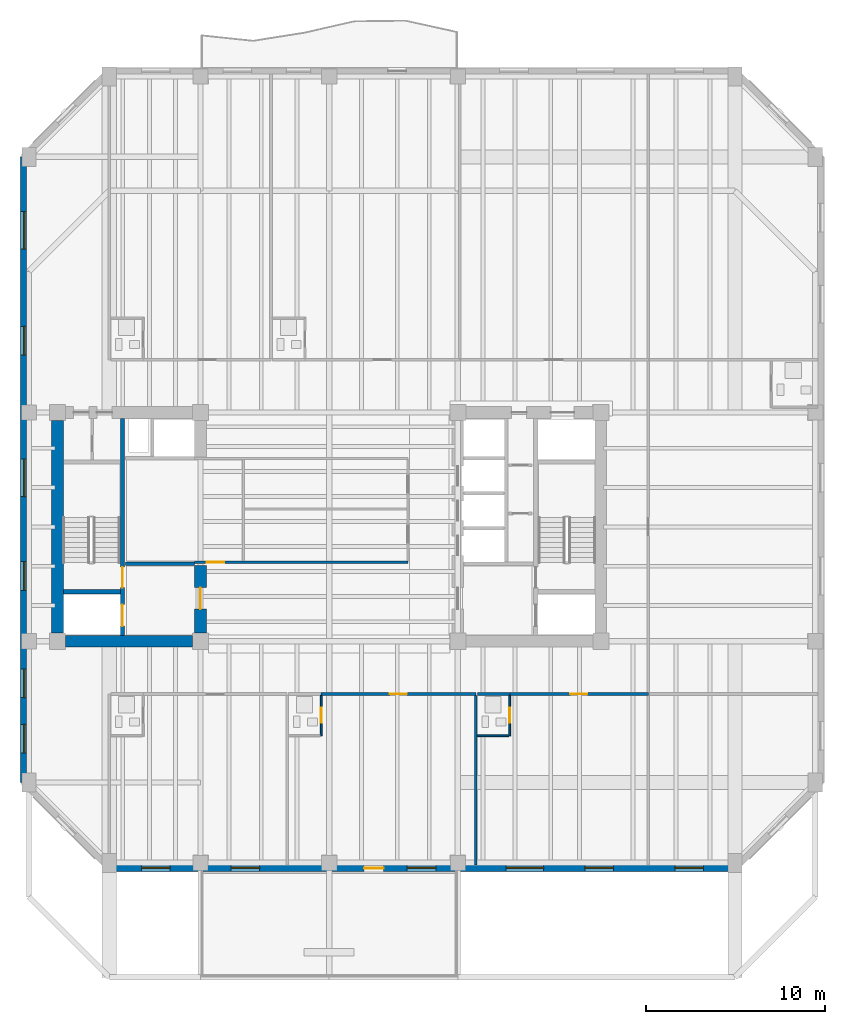
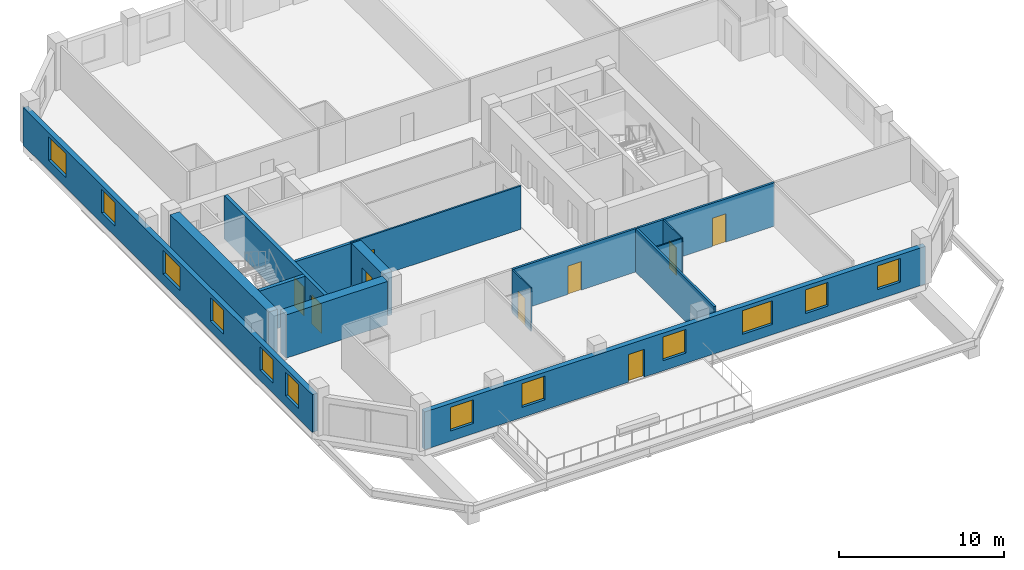
# One storey, part 3 of 10: 16 walls, 12 windows, 9 doors, 21 openings.
"""IFC4 building model written with IfcOpenShell, lengths in metres."""

from ifc_helpers import new_model, si_unit, direction, frame, frame_2d, origin, place, context, subcontext, project, spatial, rectangle, extrude, material, layer, layer_set, type_object, element, fill, save


model = new_model("IFC4")

# Units and contexts
model_context = context("Model", 3, precision=1e-05, world=origin(), true_north=direction((0.0, 1.0)))
body_context = subcontext(model_context, "Body", "Model", "MODEL_VIEW")
ifc_project = project(units=[si_unit("LENGTHUNIT", "METRE"), si_unit("AREAUNIT", "SQUARE_METRE"), si_unit("VOLUMEUNIT", "CUBIC_METRE"), si_unit("PLANEANGLEUNIT", "RADIAN"), si_unit("MASSUNIT", "GRAM", prefix="KILO")], contexts=[model_context])

# Site, building, storey
site_placement = place(None, origin())
site = spatial("IfcSite", under=ifc_project, at=site_placement, CompositionType="ELEMENT")
building_placement = place(site_placement, origin())
building = spatial("IfcBuilding", under=site, at=building_placement, Name="Kranthara Brick Stack", CompositionType="ELEMENT")
storey_placement = place(building_placement, frame((0.0, 0.0, 162.300048828125)))
storey = spatial("IfcBuildingStorey", under=building, at=storey_placement, Name="L41", CompositionType="ELEMENT", Elevation=162.300048828125)

# Wall, openings, door, windows
ifc_material_1 = material(Name="Kiln-fired clay brick masonry M15", Category="masonry")
ifc_layer_1 = layer(ifc_material_1, 0.35009765625)
ifc_layer_set_1 = layer_set([ifc_layer_1], Name="Kiln-fired clay brick masonry M15")
wall_type_1 = type_object("IfcWallType", Name="WL-BRK-SPND-350", PredefinedType="STANDARD", material=ifc_layer_set_1)
wall_1_placement = place(storey_placement, frame((50.699951171875, 8.094970703125, 0.0), z_axis=(0.0, 0.0, 1.0), x_axis=(-1.0, 0.0, 0.0)))
wall_1 = element("IfcWall", 1, at=wall_1_placement, inside=storey, type_object=wall_type_1, Name="L41 Exterior Brick Facade Wall SOUTH 1", PredefinedType="STANDARD", context=body_context, shape_type="SweptSolid", body=[
    extrude(rectangle(XDim=35.0, YDim=0.35009765625, at=frame_2d((17.5, 0.0))), origin(), (0.0, 0.0, 1.0), 2.784912109375),
])
opening_1_placement = place(wall_1_placement, frame((19.64990234375, 0.0, 0.0)))
opening_1 = element("IfcOpeningElement", 2, at=opening_1_placement, cuts=wall_1, Name="Opening D02", PredefinedType="OPENING", context=body_context, shape_type="SweptSolid", body=[
    extrude(rectangle(XDim=1.10009765625, YDim=2.050048828125, at=frame_2d((0.550048828125, 1.02490234375))), frame((0.0, 0.18505859375, 0.0), z_axis=(0.0, -1.0, 0.0), x_axis=(1.0, 0.0, 0.0)), (0.0, 0.0, 1.0), 0.3701171875),
])
opening_2_placement = place(wall_1_placement, frame((1.762939453125, 0.0, 0.75)))
opening_2 = element("IfcOpeningElement", 3, at=opening_2_placement, cuts=wall_1, Name="Opening WN04", PredefinedType="OPENING", context=body_context, shape_type="SweptSolid", body=[
    extrude(rectangle(XDim=1.60009765625, YDim=1.75, at=frame_2d((0.800048828125, 0.875))), frame((0.0, 0.18505859375, 0.0), z_axis=(0.0, -1.0, 0.0), x_axis=(1.0, 0.0, 0.0)), (0.0, 0.0, 1.0), 0.3701171875),
])
opening_3_placement = place(wall_1_placement, frame((6.798095703125, 0.0, 0.75)))
opening_3 = element("IfcOpeningElement", 4, at=opening_3_placement, cuts=wall_1, Name="Opening WN04", PredefinedType="OPENING", context=body_context, shape_type="SweptSolid", body=[
    extrude(rectangle(XDim=1.60009765625, YDim=1.75, at=frame_2d((0.800048828125, 0.875))), frame((0.0, 0.18505859375, 0.0), z_axis=(0.0, -1.0, 0.0), x_axis=(1.0, 0.0, 0.0)), (0.0, 0.0, 1.0), 0.3701171875),
])
opening_4_placement = place(wall_1_placement, frame((10.699951171875, 0.0, 0.75)))
opening_4 = element("IfcOpeningElement", 5, at=opening_4_placement, cuts=wall_1, Name="Opening WN05", PredefinedType="OPENING", context=body_context, shape_type="SweptSolid", body=[
    extrude(rectangle(XDim=2.10009765625, YDim=1.75, at=frame_2d((1.050048828125, 0.875))), frame((0.0, 0.18505859375, 0.0), z_axis=(0.0, -1.0, 0.0), x_axis=(1.0, 0.0, 0.0)), (0.0, 0.0, 1.0), 0.3701171875),
])
opening_5_placement = place(wall_1_placement, frame((16.738037109375, 0.0, 0.75)))
opening_5 = element("IfcOpeningElement", 6, at=opening_5_placement, cuts=wall_1, Name="Opening WN04", PredefinedType="OPENING", context=body_context, shape_type="SweptSolid", body=[
    extrude(rectangle(XDim=1.60009765625, YDim=1.75, at=frame_2d((0.800048828125, 0.875))), frame((0.0, 0.18505859375, 0.0), z_axis=(0.0, -1.0, 0.0), x_axis=(1.0, 0.0, 0.0)), (0.0, 0.0, 1.0), 0.3701171875),
])
opening_6_placement = place(wall_1_placement, frame((26.587890625, 0.0, 0.75)))
opening_6 = element("IfcOpeningElement", 7, at=opening_6_placement, cuts=wall_1, Name="Opening WN04", PredefinedType="OPENING", context=body_context, shape_type="SweptSolid", body=[
    extrude(rectangle(XDim=1.60009765625, YDim=1.75, at=frame_2d((0.800048828125, 0.875))), frame((0.0, 0.18505859375, 0.0), z_axis=(0.0, -1.0, 0.0), x_axis=(1.0, 0.0, 0.0)), (0.0, 0.0, 1.0), 0.3701171875),
])
opening_7_placement = place(wall_1_placement, frame((31.60009765625, 0.0, 0.75)))
opening_7 = element("IfcOpeningElement", 8, at=opening_7_placement, cuts=wall_1, Name="Opening WN04", PredefinedType="OPENING", context=body_context, shape_type="SweptSolid", body=[
    extrude(rectangle(XDim=1.60009765625, YDim=1.75, at=frame_2d((0.800048828125, 0.875))), frame((0.0, 0.18505859375, 0.0), z_axis=(0.0, -1.0, 0.0), x_axis=(1.0, 0.0, 0.0)), (0.0, 0.0, 1.0), 0.3701171875),
])
ifc_material_2 = material(Name="Bronze anodised aluminium and laminated glass", Category="aluminium")
door_type_1 = type_object("IfcDoorType", Name="DR-TERR-1100", OperationType="NOTDEFINED", PredefinedType="DOOR", material=ifc_material_2)
door_1_placement = place(opening_1_placement, origin())
door_1 = element("IfcDoor", 9, at=door_1_placement, inside=storey, type_object=door_type_1, Name="L41 Planted Sky Garden Terrace Door", OperationType="SINGLE_SWING_LEFT", OverallHeight=2.050048828125, OverallWidth=1.10009765625, PredefinedType="DOOR", context=body_context, shape_type="SweptSolid", body=[
    extrude(rectangle(XDim=1.10009765625, YDim=2.050048828125, at=frame_2d((0.550048828125, 1.02490234375))), frame((0.0, 0.02490234375, 0.0), z_axis=(0.0, -1.0, 0.0), x_axis=(1.0, 0.0, 0.0)), (0.0, 0.0, 1.0), 0.050048828125),
])
fill(opening_1, door_1)
ifc_material_3 = material(Name="Double-glazed low-E solar control glass", Category="glass")
window_type_1 = type_object("IfcWindowType", Name="WN-HTL-1600x1850", PartitioningType="DOUBLE_PANEL_VERTICAL", PredefinedType="WINDOW", material=ifc_material_3)
window_1_placement = place(opening_2_placement, origin())
window_1 = element("IfcWindow", 10, at=window_1_placement, inside=storey, type_object=window_type_1, Name="L41 South Deep-Set Brick Window 01", OverallHeight=1.75, OverallWidth=1.60009765625, PartitioningType="SINGLE_PANEL", PredefinedType="WINDOW", context=body_context, shape_type="SweptSolid", body=[
    extrude(rectangle(XDim=1.60009765625, YDim=1.75, at=frame_2d((0.800048828125, 0.875))), frame((0.0, -0.010009765625, 0.0), z_axis=(0.0, -1.0, 0.0), x_axis=(1.0, 0.0, 0.0)), (0.0, 0.0, 1.0), 0.06005859375),
])
fill(opening_2, window_1)
window_2_placement = place(opening_3_placement, origin())
window_2 = element("IfcWindow", 11, at=window_2_placement, inside=storey, type_object=window_type_1, Name="L41 South Deep-Set Brick Window 02", OverallHeight=1.75, OverallWidth=1.60009765625, PartitioningType="SINGLE_PANEL", PredefinedType="WINDOW", context=body_context, shape_type="SweptSolid", body=[
    extrude(rectangle(XDim=1.60009765625, YDim=1.75, at=frame_2d((0.800048828125, 0.875))), frame((0.0, -0.010009765625, 0.0), z_axis=(0.0, -1.0, 0.0), x_axis=(1.0, 0.0, 0.0)), (0.0, 0.0, 1.0), 0.06005859375),
])
fill(opening_3, window_2)
window_3_placement = place(opening_5_placement, origin())
window_3 = element("IfcWindow", 12, at=window_3_placement, inside=storey, type_object=window_type_1, Name="L41 South Deep-Set Brick Window 04", OverallHeight=1.75, OverallWidth=1.60009765625, PartitioningType="SINGLE_PANEL", PredefinedType="WINDOW", context=body_context, shape_type="SweptSolid", body=[
    extrude(rectangle(XDim=1.60009765625, YDim=1.75, at=frame_2d((0.800048828125, 0.875))), frame((0.0, -0.010009765625, 0.0), z_axis=(0.0, -1.0, 0.0), x_axis=(1.0, 0.0, 0.0)), (0.0, 0.0, 1.0), 0.06005859375),
])
fill(opening_5, window_3)
window_4_placement = place(opening_6_placement, origin())
window_4 = element("IfcWindow", 13, at=window_4_placement, inside=storey, type_object=window_type_1, Name="L41 South Deep-Set Brick Window 05", OverallHeight=1.75, OverallWidth=1.60009765625, PartitioningType="SINGLE_PANEL", PredefinedType="WINDOW", context=body_context, shape_type="SweptSolid", body=[
    extrude(rectangle(XDim=1.60009765625, YDim=1.75, at=frame_2d((0.800048828125, 0.875))), frame((0.0, -0.010009765625, 0.0), z_axis=(0.0, -1.0, 0.0), x_axis=(1.0, 0.0, 0.0)), (0.0, 0.0, 1.0), 0.06005859375),
])
fill(opening_6, window_4)
window_5_placement = place(opening_7_placement, origin())
window_5 = element("IfcWindow", 14, at=window_5_placement, inside=storey, type_object=window_type_1, Name="L41 South Deep-Set Brick Window 06", OverallHeight=1.75, OverallWidth=1.60009765625, PartitioningType="SINGLE_PANEL", PredefinedType="WINDOW", context=body_context, shape_type="SweptSolid", body=[
    extrude(rectangle(XDim=1.60009765625, YDim=1.75, at=frame_2d((0.800048828125, 0.875))), frame((0.0, -0.010009765625, 0.0), z_axis=(0.0, -1.0, 0.0), x_axis=(1.0, 0.0, 0.0)), (0.0, 0.0, 1.0), 0.06005859375),
])
fill(opening_7, window_5)
ifc_material_4 = material(Name="Double-glazed low-E solar control glass", Category="glass")
window_type_2 = type_object("IfcWindowType", Name="WN-HTL-2100x1850", PartitioningType="DOUBLE_PANEL_VERTICAL", PredefinedType="WINDOW", material=ifc_material_4)
window_6_placement = place(opening_4_placement, origin())
window_6 = element("IfcWindow", 15, at=window_6_placement, inside=storey, type_object=window_type_2, Name="L41 South Deep-Set Brick Window 03", OverallHeight=1.75, OverallWidth=2.10009765625, PartitioningType="SINGLE_PANEL", PredefinedType="WINDOW", context=body_context, shape_type="SweptSolid", body=[
    extrude(rectangle(XDim=2.10009765625, YDim=1.75, at=frame_2d((1.050048828125, 0.875))), frame((0.0, -0.010009765625, 0.0), z_axis=(0.0, -1.0, 0.0), x_axis=(1.0, 0.0, 0.0)), (0.0, 0.0, 1.0), 0.06005859375),
])
fill(opening_4, window_6)

# Wall, openings, windows
wall_2_placement = place(storey_placement, frame((10.89501953125, 12.89990234375, 0.0), z_axis=(0.0, 0.0, 1.0), x_axis=(0.0, 1.0, 0.0)))
wall_2 = element("IfcWall", 16, at=wall_2_placement, inside=storey, type_object=wall_type_1, Name="L41 Exterior Brick Facade Wall WEST 1", PredefinedType="STANDARD", context=body_context, shape_type="SweptSolid", body=[
    extrude(rectangle(XDim=35.0, YDim=0.35009765625, at=frame_2d((17.5, 0.0))), origin(), (0.0, 0.0, 1.0), 2.784912109375),
])
opening_8_placement = place(wall_2_placement, frame((1.652099609375, 0.0, 0.75)))
opening_8 = element("IfcOpeningElement", 17, at=opening_8_placement, cuts=wall_2, Name="Opening WN04", PredefinedType="OPENING", context=body_context, shape_type="SweptSolid", body=[
    extrude(rectangle(XDim=1.60009765625, YDim=1.75, at=frame_2d((0.800048828125, 0.875))), frame((0.0, 0.18505859375, 0.0), z_axis=(0.0, -1.0, 0.0), x_axis=(1.0, 0.0, 0.0)), (0.0, 0.0, 1.0), 0.3701171875),
])
opening_9_placement = place(wall_2_placement, frame((4.748046875, 0.0, 0.75)))
opening_9 = element("IfcOpeningElement", 18, at=opening_9_placement, cuts=wall_2, Name="Opening WN04", PredefinedType="OPENING", context=body_context, shape_type="SweptSolid", body=[
    extrude(rectangle(XDim=1.60009765625, YDim=1.75, at=frame_2d((0.800048828125, 0.875))), frame((0.0, 0.18505859375, 0.0), z_axis=(0.0, -1.0, 0.0), x_axis=(1.0, 0.0, 0.0)), (0.0, 0.0, 1.0), 0.3701171875),
])
opening_10_placement = place(wall_2_placement, frame((10.751953125, 0.0, 0.75)))
opening_10 = element("IfcOpeningElement", 19, at=opening_10_placement, cuts=wall_2, Name="Opening WN04", PredefinedType="OPENING", context=body_context, shape_type="SweptSolid", body=[
    extrude(rectangle(XDim=1.60009765625, YDim=1.75, at=frame_2d((0.800048828125, 0.875))), frame((0.0, 0.18505859375, 0.0), z_axis=(0.0, -1.0, 0.0), x_axis=(1.0, 0.0, 0.0)), (0.0, 0.0, 1.0), 0.3701171875),
])
opening_11_placement = place(wall_2_placement, frame((15.998046875, 0.0, 0.75)))
opening_11 = element("IfcOpeningElement", 20, at=opening_11_placement, cuts=wall_2, Name="Opening WN05", PredefinedType="OPENING", context=body_context, shape_type="SweptSolid", body=[
    extrude(rectangle(XDim=2.10009765625, YDim=1.75, at=frame_2d((1.050048828125, 0.875))), frame((0.0, 0.18505859375, 0.0), z_axis=(0.0, -1.0, 0.0), x_axis=(1.0, 0.0, 0.0)), (0.0, 0.0, 1.0), 0.3701171875),
])
opening_12_placement = place(wall_2_placement, frame((23.916015625, 0.0, 0.75)))
opening_12 = element("IfcOpeningElement", 21, at=opening_12_placement, cuts=wall_2, Name="Opening WN04", PredefinedType="OPENING", context=body_context, shape_type="SweptSolid", body=[
    extrude(rectangle(XDim=1.60009765625, YDim=1.75, at=frame_2d((0.800048828125, 0.875))), frame((0.0, 0.18505859375, 0.0), z_axis=(0.0, -1.0, 0.0), x_axis=(1.0, 0.0, 0.0)), (0.0, 0.0, 1.0), 0.3701171875),
])
opening_13_placement = place(wall_2_placement, frame((29.833984375, 0.0, 0.75)))
opening_13 = element("IfcOpeningElement", 22, at=opening_13_placement, cuts=wall_2, Name="Opening WN05", PredefinedType="OPENING", context=body_context, shape_type="SweptSolid", body=[
    extrude(rectangle(XDim=2.10009765625, YDim=1.75, at=frame_2d((1.050048828125, 0.875))), frame((0.0, 0.18505859375, 0.0), z_axis=(0.0, -1.0, 0.0), x_axis=(1.0, 0.0, 0.0)), (0.0, 0.0, 1.0), 0.3701171875),
])
window_7_placement = place(opening_8_placement, origin())
window_7 = element("IfcWindow", 23, at=window_7_placement, inside=storey, type_object=window_type_1, Name="L41 West Deep-Set Brick Window 01", OverallHeight=1.75, OverallWidth=1.60009765625, PartitioningType="SINGLE_PANEL", PredefinedType="WINDOW", context=body_context, shape_type="SweptSolid", body=[
    extrude(rectangle(XDim=1.60009765625, YDim=1.75, at=frame_2d((0.800048828125, 0.875))), frame((0.0, -0.010009765625, 0.0), z_axis=(0.0, -1.0, 0.0), x_axis=(1.0, 0.0, 0.0)), (0.0, 0.0, 1.0), 0.06005859375),
])
fill(opening_8, window_7)
window_8_placement = place(opening_9_placement, origin())
window_8 = element("IfcWindow", 24, at=window_8_placement, inside=storey, type_object=window_type_1, Name="L41 West Deep-Set Brick Window 02", OverallHeight=1.75, OverallWidth=1.60009765625, PartitioningType="SINGLE_PANEL", PredefinedType="WINDOW", context=body_context, shape_type="SweptSolid", body=[
    extrude(rectangle(XDim=1.60009765625, YDim=1.75, at=frame_2d((0.800048828125, 0.875))), frame((0.0, -0.010009765625, 0.0), z_axis=(0.0, -1.0, 0.0), x_axis=(1.0, 0.0, 0.0)), (0.0, 0.0, 1.0), 0.06005859375),
])
fill(opening_9, window_8)
window_9_placement = place(opening_10_placement, origin())
window_9 = element("IfcWindow", 25, at=window_9_placement, inside=storey, type_object=window_type_1, Name="L41 West Deep-Set Brick Window 03", OverallHeight=1.75, OverallWidth=1.60009765625, PartitioningType="SINGLE_PANEL", PredefinedType="WINDOW", context=body_context, shape_type="SweptSolid", body=[
    extrude(rectangle(XDim=1.60009765625, YDim=1.75, at=frame_2d((0.800048828125, 0.875))), frame((0.0, -0.010009765625, 0.0), z_axis=(0.0, -1.0, 0.0), x_axis=(1.0, 0.0, 0.0)), (0.0, 0.0, 1.0), 0.06005859375),
])
fill(opening_10, window_9)
window_10_placement = place(opening_12_placement, origin())
window_10 = element("IfcWindow", 26, at=window_10_placement, inside=storey, type_object=window_type_1, Name="L41 West Deep-Set Brick Window 05", OverallHeight=1.75, OverallWidth=1.60009765625, PartitioningType="SINGLE_PANEL", PredefinedType="WINDOW", context=body_context, shape_type="SweptSolid", body=[
    extrude(rectangle(XDim=1.60009765625, YDim=1.75, at=frame_2d((0.800048828125, 0.875))), frame((0.0, -0.010009765625, 0.0), z_axis=(0.0, -1.0, 0.0), x_axis=(1.0, 0.0, 0.0)), (0.0, 0.0, 1.0), 0.06005859375),
])
fill(opening_12, window_10)
window_11_placement = place(opening_11_placement, origin())
window_11 = element("IfcWindow", 27, at=window_11_placement, inside=storey, type_object=window_type_2, Name="L41 West Deep-Set Brick Window 04", OverallHeight=1.75, OverallWidth=2.10009765625, PartitioningType="SINGLE_PANEL", PredefinedType="WINDOW", context=body_context, shape_type="SweptSolid", body=[
    extrude(rectangle(XDim=2.10009765625, YDim=1.75, at=frame_2d((1.050048828125, 0.875))), frame((0.0, -0.010009765625, 0.0), z_axis=(0.0, -1.0, 0.0), x_axis=(1.0, 0.0, 0.0)), (0.0, 0.0, 1.0), 0.06005859375),
])
fill(opening_11, window_11)
window_12_placement = place(opening_13_placement, origin())
window_12 = element("IfcWindow", 28, at=window_12_placement, inside=storey, type_object=window_type_2, Name="L41 West Deep-Set Brick Window 06", OverallHeight=1.75, OverallWidth=2.10009765625, PartitioningType="SINGLE_PANEL", PredefinedType="WINDOW", context=body_context, shape_type="SweptSolid", body=[
    extrude(rectangle(XDim=2.10009765625, YDim=1.75, at=frame_2d((1.050048828125, 0.875))), frame((0.0, -0.010009765625, 0.0), z_axis=(0.0, -1.0, 0.0), x_axis=(1.0, 0.0, 0.0)), (0.0, 0.0, 1.0), 0.06005859375),
])
fill(opening_13, window_12)

# Wall, openings, doors
ifc_material_5 = material(Name="Concrete C50/60", Category="concrete")
ifc_layer_2 = layer(ifc_material_5, 0.25)
ifc_layer_set_2 = layer_set([ifc_layer_2], Name="Concrete C50/60")
wall_type_2 = type_object("IfcWallType", Name="WL-CORE-250", PredefinedType="SHEAR", material=ifc_layer_set_2)
wall_3_placement = place(storey_placement, frame((16.43505859375, 21.135009765625, 0.0), z_axis=(0.0, 0.0, 1.0), x_axis=(0.0, 1.0, 0.0)))
wall_3 = element("IfcWall", 29, at=wall_3_placement, inside=storey, type_object=wall_type_2, Name="L41 West Core Stair Bearing Spine Wall", PredefinedType="SHEAR", context=body_context, shape_type="SweptSolid", body=[
    extrude(rectangle(XDim=12.1298828125, YDim=0.25, at=frame_2d((6.06494140625, 0.0))), origin(), (0.0, 0.0, 1.0), 3.199951171875),
])
opening_14_placement = place(wall_3_placement, frame((0.514892578125, 0.0, 0.0)))
opening_14 = element("IfcOpeningElement", 30, at=opening_14_placement, cuts=wall_3, Name="Opening LD01", PredefinedType="OPENING", context=body_context, shape_type="SweptSolid", body=[
    extrude(rectangle(XDim=1.199951171875, YDim=2.14990234375, at=frame_2d((0.60009765625, 1.074951171875))), frame((0.0, 0.135009765625, 0.0), z_axis=(0.0, -1.0, 0.0), x_axis=(1.0, 0.0, 0.0)), (0.0, 0.0, 1.0), 0.27001953125),
])
opening_15_placement = place(wall_3_placement, frame((2.6650390625, 0.0, 0.0)))
opening_15 = element("IfcOpeningElement", 31, at=opening_15_placement, cuts=wall_3, Name="Opening D05", PredefinedType="OPENING", context=body_context, shape_type="SweptSolid", body=[
    extrude(rectangle(XDim=1.14990234375, YDim=2.14990234375, at=frame_2d((0.574951171875, 1.074951171875))), frame((0.0, 0.135009765625, 0.0), z_axis=(0.0, -1.0, 0.0), x_axis=(1.0, 0.0, 0.0)), (0.0, 0.0, 1.0), 0.27001953125),
])
ifc_material_6 = material(Name="Stainless steel sliding landing door", Category="steel")
door_type_2 = type_object("IfcDoorType", Name="DR-LD-FF1200", OperationType="DOUBLE_DOOR_SLIDING", PredefinedType="DOOR", material=ifc_material_6)
door_2_placement = place(opening_14_placement, origin())
door_2 = element("IfcDoor", 32, at=door_2_placement, inside=storey, type_object=door_type_2, Name="L41 Firefighting Lift FF-01 Landing Door", OperationType="DOUBLE_DOOR_SLIDING", OverallHeight=2.14990234375, OverallWidth=1.199951171875, PredefinedType="DOOR", context=body_context, shape_type="SweptSolid", body=[
    extrude(rectangle(XDim=1.199951171875, YDim=2.14990234375, at=frame_2d((0.60009765625, 1.074951171875))), frame((0.0, 0.02490234375, 0.0), z_axis=(0.0, -1.0, 0.0), x_axis=(1.0, 0.0, 0.0)), (0.0, 0.0, 1.0), 0.050048828125),
])
fill(opening_14, door_2)
ifc_material_7 = material(Name="Solid-core hardwood timber leaf in steel frame", Category="steel")
door_type_3 = type_object("IfcDoorType", Name="DR-ST-1150", OperationType="NOTDEFINED", PredefinedType="DOOR", material=ifc_material_7)
door_3_placement = place(opening_15_placement, origin())
door_3 = element("IfcDoor", 33, at=door_3_placement, inside=storey, type_object=door_type_3, Name="L41 Exit Stair ST01 Door", OperationType="SINGLE_SWING_RIGHT", OverallHeight=2.14990234375, OverallWidth=1.14990234375, PredefinedType="DOOR", context=body_context, shape_type="SweptSolid", body=[
    extrude(rectangle(XDim=1.14990234375, YDim=2.14990234375, at=frame_2d((0.574951171875, 1.074951171875))), frame((0.0, 0.02490234375, 0.0), z_axis=(0.0, -1.0, 0.0), x_axis=(1.0, 0.0, 0.0)), (0.0, 0.0, 1.0), 0.050048828125),
])
fill(opening_15, door_3)

# Walls
wall_4_placement = place(storey_placement, frame((13.135009765625, 23.570068359375, 0.0), z_axis=(0.0, 0.0, 1.0), x_axis=(1.0, 0.0, 0.0)))
element("IfcWall", 34, at=wall_4_placement, inside=storey, type_object=wall_type_2, Name="L41 West Stairwell Bearing Wall WFF", PredefinedType="SHEAR", context=body_context, shape_type="SweptSolid", body=[
    extrude(rectangle(XDim=3.175048828125, YDim=0.25, at=frame_2d((1.58740234375, 0.0))), origin(), (0.0, 0.0, 1.0), 3.199951171875),
])
ifc_material_8 = material(Name="Concrete C60/75", Category="concrete")
ifc_layer_3 = layer(ifc_material_8, 0.64990234375)
ifc_layer_set_3 = layer_set([ifc_layer_3], Name="Concrete C60/75")
wall_type_3 = type_object("IfcWallType", Name="WL-CORE-650", PredefinedType="SHEAR", material=ifc_layer_set_3)
wall_5_placement = place(storey_placement, frame((12.800048828125, 21.2548828125, 0.0), z_axis=(0.0, 0.0, 1.0), x_axis=(0.0, 1.0, 0.0)))
element("IfcWall", 35, at=wall_5_placement, inside=storey, type_object=wall_type_3, Name="L41 West Core Shear Wall West", PredefinedType="SHEAR", context=body_context, shape_type="SweptSolid", body=[
    extrude(rectangle(XDim=11.89013671875, YDim=0.64990234375, at=frame_2d((5.945068359375, 0.0))), origin(), (0.0, 0.0, 1.0), 3.199951171875),
])
wall_6_placement = place(storey_placement, frame((13.2548828125, 20.800048828125, 0.0), z_axis=(0.0, 0.0, 1.0), x_axis=(1.0, 0.0, 0.0)))
element("IfcWall", 36, at=wall_6_placement, inside=storey, type_object=wall_type_3, Name="L41 West Core Shear Wall South", PredefinedType="SHEAR", context=body_context, shape_type="SweptSolid", body=[
    extrude(rectangle(XDim=7.090087890625, YDim=0.64990234375, at=frame_2d((3.544921875, 0.0))), origin(), (0.0, 0.0, 1.0), 3.199951171875),
])

# Wall, opening, door
wall_7_placement = place(storey_placement, frame((20.800048828125, 21.2548828125, 0.0), z_axis=(0.0, 0.0, 1.0), x_axis=(0.0, 1.0, 0.0)))
wall_7 = element("IfcWall", 37, at=wall_7_placement, inside=storey, type_object=wall_type_3, Name="L41 West Core Lobby Shear Wall", PredefinedType="SHEAR", context=body_context, shape_type="SweptSolid", body=[
    extrude(rectangle(XDim=3.795166015625, YDim=0.64990234375, at=frame_2d((1.8974609375, 0.0))), origin(), (0.0, 0.0, 1.0), 3.199951171875),
])
opening_16_placement = place(wall_7_placement, frame((1.344970703125, 0.0, 0.0)))
opening_16 = element("IfcOpeningElement", 38, at=opening_16_placement, cuts=wall_7, Name="Opening D06", PredefinedType="OPENING", context=body_context, shape_type="SweptSolid", body=[
    extrude(rectangle(XDim=1.199951171875, YDim=2.14990234375, at=frame_2d((0.60009765625, 1.074951171875))), frame((0.0, 0.3349609375, 0.0), z_axis=(0.0, -1.0, 0.0), x_axis=(1.0, 0.0, 0.0)), (0.0, 0.0, 1.0), 0.669921875),
])
ifc_material_9 = material(Name="Solid-core hardwood timber leaf in steel frame", Category="steel")
door_type_4 = type_object("IfcDoorType", Name="DR-FFL-1200", OperationType="NOTDEFINED", PredefinedType="DOOR", material=ifc_material_9)
door_4_placement = place(opening_16_placement, origin())
door_4 = element("IfcDoor", 39, at=door_4_placement, inside=storey, type_object=door_type_4, Name="L41 West Firefighting Lobby Door", OperationType="SINGLE_SWING_LEFT", OverallHeight=2.14990234375, OverallWidth=1.199951171875, PredefinedType="DOOR", context=body_context, shape_type="SweptSolid", body=[
    extrude(rectangle(XDim=1.199951171875, YDim=2.14990234375, at=frame_2d((0.60009765625, 1.074951171875))), frame((0.0, 0.02490234375, 0.0), z_axis=(0.0, -1.0, 0.0), x_axis=(1.0, 0.0, 0.0)), (0.0, 0.0, 1.0), 0.050048828125),
])
fill(opening_16, door_4)

ifc_material_10 = material(Name="Moisture-resistant wet-room partition", Category="other")
ifc_layer_4 = layer(ifc_material_10, 0.10009765625)
ifc_layer_set_4 = layer_set([ifc_layer_4], Name="Moisture-resistant wet-room partition")
wall_type_4 = type_object("IfcWallType", Name="WL-PART-100", PredefinedType="PARTITIONING", material=ifc_layer_set_4)
wall_8_placement = place(storey_placement, frame((27.549072265625, 15.52001953125, 0.0), z_axis=(0.0, 0.0, 1.0), x_axis=(0.0, 1.0, 0.0)))
wall_8 = element("IfcWall", 40, at=wall_8_placement, inside=storey, type_object=wall_type_4, Name="L41 Interior Partition 017", PredefinedType="PARTITIONING", context=body_context, shape_type="SweptSolid", body=[
    extrude(rectangle(XDim=2.25, YDim=0.10009765625, at=frame_2d((1.125, 0.0))), origin(), (0.0, 0.0, 1.0), 3.199951171875),
])
opening_17_placement = place(wall_8_placement, frame((0.719970703125, 0.0, 0.0)))
opening_17 = element("IfcOpeningElement", 41, at=opening_17_placement, cuts=wall_8, Name="Opening D17", PredefinedType="OPENING", context=body_context, shape_type="SweptSolid", body=[
    extrude(rectangle(XDim=0.85009765625, YDim=2.050048828125, at=frame_2d((0.425048828125, 1.02490234375))), frame((0.0, 0.06005859375, 0.0), z_axis=(0.0, -1.0, 0.0), x_axis=(1.0, 0.0, 0.0)), (0.0, 0.0, 1.0), 0.1201171875),
])
ifc_material_11 = material(Name="Solid-core hardwood timber leaf in steel frame", Category="steel")
door_type_5 = type_object("IfcDoorType", Name="DR-WET-850", OperationType="NOTDEFINED", PredefinedType="DOOR", material=ifc_material_11)
door_5_placement = place(opening_17_placement, origin())
door_5 = element("IfcDoor", 42, at=door_5_placement, inside=storey, type_object=door_type_5, Name="L41 Key 02 En-Suite Door 09", OperationType="SINGLE_SWING_LEFT", OverallHeight=2.050048828125, OverallWidth=0.85009765625, PredefinedType="DOOR", context=body_context, shape_type="SweptSolid", body=[
    extrude(rectangle(XDim=0.85009765625, YDim=2.050048828125, at=frame_2d((0.425048828125, 1.02490234375))), frame((0.0, 0.02490234375, 0.0), z_axis=(0.0, -1.0, 0.0), x_axis=(1.0, 0.0, 0.0)), (0.0, 0.0, 1.0), 0.050048828125),
])
fill(opening_17, door_5)

wall_9_placement = place(storey_placement, frame((38.10205078125, 15.52001953125, 0.0), z_axis=(0.0, 0.0, 1.0), x_axis=(0.0, 1.0, 0.0)))
wall_9 = element("IfcWall", 43, at=wall_9_placement, inside=storey, type_object=wall_type_4, Name="L41 Interior Partition 022", PredefinedType="PARTITIONING", context=body_context, shape_type="SweptSolid", body=[
    extrude(rectangle(XDim=2.25, YDim=0.10009765625, at=frame_2d((1.125, 0.0))), origin(), (0.0, 0.0, 1.0), 3.199951171875),
])
opening_18_placement = place(wall_9_placement, frame((0.719970703125, 0.0, 0.0)))
opening_18 = element("IfcOpeningElement", 44, at=opening_18_placement, cuts=wall_9, Name="Opening D17", PredefinedType="OPENING", context=body_context, shape_type="SweptSolid", body=[
    extrude(rectangle(XDim=0.85009765625, YDim=2.050048828125, at=frame_2d((0.425048828125, 1.02490234375))), frame((0.0, 0.06005859375, 0.0), z_axis=(0.0, -1.0, 0.0), x_axis=(1.0, 0.0, 0.0)), (0.0, 0.0, 1.0), 0.1201171875),
])
door_6_placement = place(opening_18_placement, origin())
door_6 = element("IfcDoor", 45, at=door_6_placement, inside=storey, type_object=door_type_5, Name="L41 Key 03 En-Suite Door 11", OperationType="SINGLE_SWING_LEFT", OverallHeight=2.050048828125, OverallWidth=0.85009765625, PredefinedType="DOOR", context=body_context, shape_type="SweptSolid", body=[
    extrude(rectangle(XDim=0.85009765625, YDim=2.050048828125, at=frame_2d((0.425048828125, 1.02490234375))), frame((0.0, 0.02490234375, 0.0), z_axis=(0.0, -1.0, 0.0), x_axis=(1.0, 0.0, 0.0)), (0.0, 0.0, 1.0), 0.050048828125),
])
fill(opening_18, door_6)

# Wall
wall_10_placement = place(storey_placement, frame((36.281982421875, 15.52001953125, 0.0), z_axis=(0.0, 0.0, 1.0), x_axis=(1.0, 0.0, 0.0)))
element("IfcWall", 46, at=wall_10_placement, inside=storey, type_object=wall_type_4, Name="L41 Interior Partition 023", PredefinedType="PARTITIONING", context=body_context, shape_type="SweptSolid", body=[
    extrude(rectangle(XDim=1.76513671875, YDim=0.10009765625, at=frame_2d((0.882568359375, 0.0))), origin(), (0.0, 0.0, 1.0), 3.199951171875),
])

# Wall, opening, door
ifc_material_12 = material(Name="Acoustic gypsum plasterboard partition", Category="other")
ifc_layer_5 = layer(ifc_material_12, 0.1201171875)
ifc_layer_set_5 = layer_set([ifc_layer_5], Name="Acoustic gypsum plasterboard partition")
wall_type_5 = type_object("IfcWallType", Name="WL-PART-120", PredefinedType="PARTITIONING", material=ifc_layer_set_5)
wall_11_placement = place(storey_placement, frame((20.4599609375, 25.219970703125, 0.0), z_axis=(0.0, 0.0, 1.0), x_axis=(1.0, 0.0, 0.0)))
wall_11 = element("IfcWall", 47, at=wall_11_placement, inside=storey, type_object=wall_type_5, Name="L41 Interior Partition 004", PredefinedType="PARTITIONING", context=body_context, shape_type="SweptSolid", body=[
    extrude(rectangle(XDim=11.93994140625, YDim=0.1201171875, at=frame_2d((5.969970703125, 0.0))), origin(), (0.0, 0.0, 1.0), 3.199951171875),
])
opening_19_placement = place(wall_11_placement, frame((0.679931640625, 0.0, 0.0)))
opening_19 = element("IfcOpeningElement", 48, at=opening_19_placement, cuts=wall_11, Name="Opening D13", PredefinedType="OPENING", context=body_context, shape_type="SweptSolid", body=[
    extrude(rectangle(XDim=1.0, YDim=2.10009765625, at=frame_2d((0.5, 1.050048828125))), frame((0.0, 0.070068359375, 0.0), z_axis=(0.0, -1.0, 0.0), x_axis=(1.0, 0.0, 0.0)), (0.0, 0.0, 1.0), 0.14013671875),
])
ifc_material_13 = material(Name="Solid-core hardwood timber leaf in steel frame", Category="steel")
door_type_6 = type_object("IfcDoorType", Name="DR-INT-1000", OperationType="NOTDEFINED", PredefinedType="DOOR", material=ifc_material_13)
door_7_placement = place(opening_19_placement, origin())
door_7 = element("IfcDoor", 49, at=door_7_placement, inside=storey, type_object=door_type_6, Name="L41 Hotel Study Door 04", OperationType="SINGLE_SWING_RIGHT", OverallHeight=2.10009765625, OverallWidth=1.0, PredefinedType="DOOR", context=body_context, shape_type="SweptSolid", body=[
    extrude(rectangle(XDim=1.0, YDim=2.10009765625, at=frame_2d((0.5, 1.050048828125))), frame((0.0, 0.02490234375, 0.0), z_axis=(0.0, -1.0, 0.0), x_axis=(1.0, 0.0, 0.0)), (0.0, 0.0, 1.0), 0.050048828125),
])
fill(opening_19, door_7)

ifc_material_14 = material(Name="Fire-rated gypsum board partition", Category="other")
ifc_layer_6 = layer(ifc_material_14, 0.14990234375)
ifc_layer_set_6 = layer_set([ifc_layer_6], Name="Fire-rated gypsum board partition")
wall_type_6 = type_object("IfcWallType", Name="WL-PART-150", PredefinedType="PARTITIONING", material=ifc_layer_set_6)
wall_12_placement = place(storey_placement, frame((27.549072265625, 17.85009765625, 0.0), z_axis=(0.0, 0.0, 1.0), x_axis=(1.0, 0.0, 0.0)))
wall_12 = element("IfcWall", 50, at=wall_12_placement, inside=storey, type_object=wall_type_6, Name="L41 Interior Partition 016", PredefinedType="PARTITIONING", context=body_context, shape_type="SweptSolid", body=[
    extrude(rectangle(XDim=8.65283203125, YDim=0.14990234375, at=frame_2d((4.326416015625, 0.0))), origin(), (0.0, 0.0, 1.0), 3.199951171875),
])
opening_20_placement = place(wall_12_placement, frame((3.845947265625, 0.0, 0.0)))
opening_20 = element("IfcOpeningElement", 51, at=opening_20_placement, cuts=wall_12, Name="Opening D09", PredefinedType="OPENING", context=body_context, shape_type="SweptSolid", body=[
    extrude(rectangle(XDim=0.949951171875, YDim=2.10009765625, at=frame_2d((0.47509765625, 1.050048828125))), frame((0.0, 0.0849609375, 0.0), z_axis=(0.0, -1.0, 0.0), x_axis=(1.0, 0.0, 0.0)), (0.0, 0.0, 1.0), 0.169921875),
])
ifc_material_15 = material(Name="Solid-core hardwood timber leaf in steel frame", Category="steel")
door_type_7 = type_object("IfcDoorType", Name="DR-FD-950", OperationType="NOTDEFINED", PredefinedType="DOOR", material=ifc_material_15)
door_8_placement = place(opening_20_placement, origin())
door_8 = element("IfcDoor", 52, at=door_8_placement, inside=storey, type_object=door_type_7, Name="L41 Key 02 Entry 10", OperationType="SINGLE_SWING_RIGHT", OverallHeight=2.10009765625, OverallWidth=0.949951171875, PredefinedType="DOOR", context=body_context, shape_type="SweptSolid", body=[
    extrude(rectangle(XDim=0.949951171875, YDim=2.10009765625, at=frame_2d((0.47509765625, 1.050048828125))), frame((0.0, 0.02490234375, 0.0), z_axis=(0.0, -1.0, 0.0), x_axis=(1.0, 0.0, 0.0)), (0.0, 0.0, 1.0), 0.050048828125),
])
fill(opening_20, door_8)

# Walls
wall_13_placement = place(storey_placement, frame((36.201904296875, 8.27490234375, 0.0), z_axis=(0.0, 0.0, 1.0), x_axis=(0.0, 1.0, 0.0)))
element("IfcWall", 53, at=wall_13_placement, inside=storey, type_object=wall_type_6, Name="L41 Interior Partition 019", PredefinedType="PARTITIONING", context=body_context, shape_type="SweptSolid", body=[
    extrude(rectangle(XDim=9.4951171875, YDim=0.14990234375, at=frame_2d((4.74755859375, 0.0))), origin(), (0.0, 0.0, 1.0), 3.199951171875),
])
wall_14_placement = place(storey_placement, frame((36.281982421875, 17.85009765625, 0.0), z_axis=(0.0, 0.0, 1.0), x_axis=(1.0, 0.0, 0.0)))
element("IfcWall", 54, at=wall_14_placement, inside=storey, type_object=wall_type_6, Name="L41 Interior Partition 020", PredefinedType="PARTITIONING", context=body_context, shape_type="SweptSolid", body=[
    extrude(rectangle(XDim=1.820068359375, YDim=0.14990234375, at=frame_2d((0.91015625, 0.0))), origin(), (0.0, 0.0, 1.0), 3.199951171875),
])

# Wall, opening, door
wall_15_placement = place(storey_placement, frame((38.10205078125, 17.85009765625, 0.0), z_axis=(0.0, 0.0, 1.0), x_axis=(1.0, 0.0, 0.0)))
wall_15 = element("IfcWall", 55, at=wall_15_placement, inside=storey, type_object=wall_type_6, Name="L41 Interior Partition 021", PredefinedType="PARTITIONING", context=body_context, shape_type="SweptSolid", body=[
    extrude(rectangle(XDim=7.748046875, YDim=0.14990234375, at=frame_2d((3.8740234375, 0.0))), origin(), (0.0, 0.0, 1.0), 3.199951171875),
])
opening_21_placement = place(wall_15_placement, frame((3.39404296875, 0.0, 0.0)))
opening_21 = element("IfcOpeningElement", 56, at=opening_21_placement, cuts=wall_15, Name="Opening D09", PredefinedType="OPENING", context=body_context, shape_type="SweptSolid", body=[
    extrude(rectangle(XDim=0.949951171875, YDim=2.10009765625, at=frame_2d((0.47509765625, 1.050048828125))), frame((0.0, 0.0849609375, 0.0), z_axis=(0.0, -1.0, 0.0), x_axis=(1.0, 0.0, 0.0)), (0.0, 0.0, 1.0), 0.169921875),
])
door_9_placement = place(opening_21_placement, origin())
door_9 = element("IfcDoor", 57, at=door_9_placement, inside=storey, type_object=door_type_7, Name="L41 Key 03 Entry 12", OperationType="SINGLE_SWING_RIGHT", OverallHeight=2.10009765625, OverallWidth=0.949951171875, PredefinedType="DOOR", context=body_context, shape_type="SweptSolid", body=[
    extrude(rectangle(XDim=0.949951171875, YDim=2.10009765625, at=frame_2d((0.47509765625, 1.050048828125))), frame((0.0, 0.02490234375, 0.0), z_axis=(0.0, -1.0, 0.0), x_axis=(1.0, 0.0, 0.0)), (0.0, 0.0, 1.0), 0.050048828125),
])
fill(opening_21, door_9)

# Wall
ifc_material_16 = material(Name="Concrete C40/50", Category="concrete")
ifc_layer_7 = layer(ifc_material_16, 0.199951171875)
ifc_layer_set_7 = layer_set([ifc_layer_7], Name="Concrete C40/50")
wall_type_7 = type_object("IfcWallType", Name="WL-PART-200", PredefinedType="SOLIDWALL", material=ifc_layer_set_7)
wall_16_placement = place(storey_placement, frame((16.60009765625, 25.14990234375, 0.0), z_axis=(0.0, 0.0, 1.0), x_axis=(1.0, 0.0, 0.0)))
element("IfcWall", 58, at=wall_16_placement, inside=storey, type_object=wall_type_7, Name="L41 West Core Cross Wall WFL", PredefinedType="SOLIDWALL", context=body_context, shape_type="SweptSolid", body=[
    extrude(rectangle(XDim=3.849853515625, YDim=0.199951171875, at=frame_2d((1.9248046875, 0.0))), origin(), (0.0, 0.0, 1.0), 3.199951171875),
])

save(model, "model.ifc")
